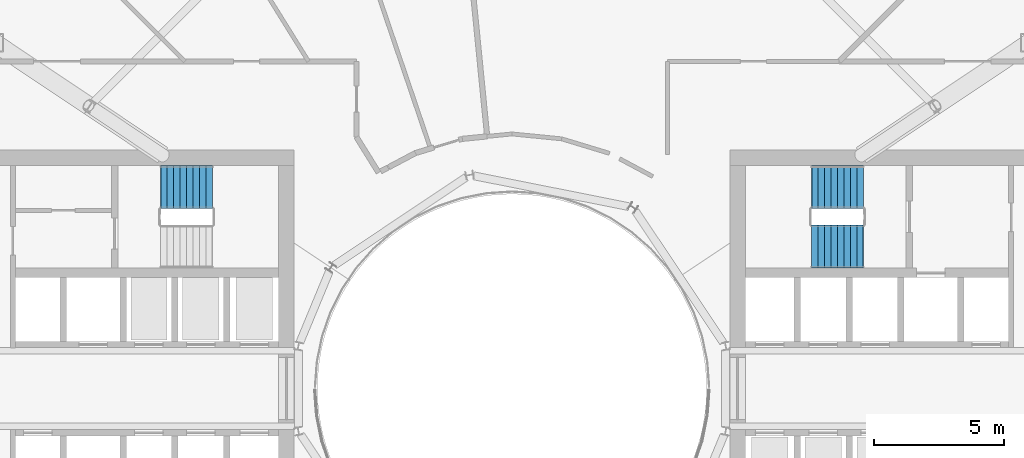
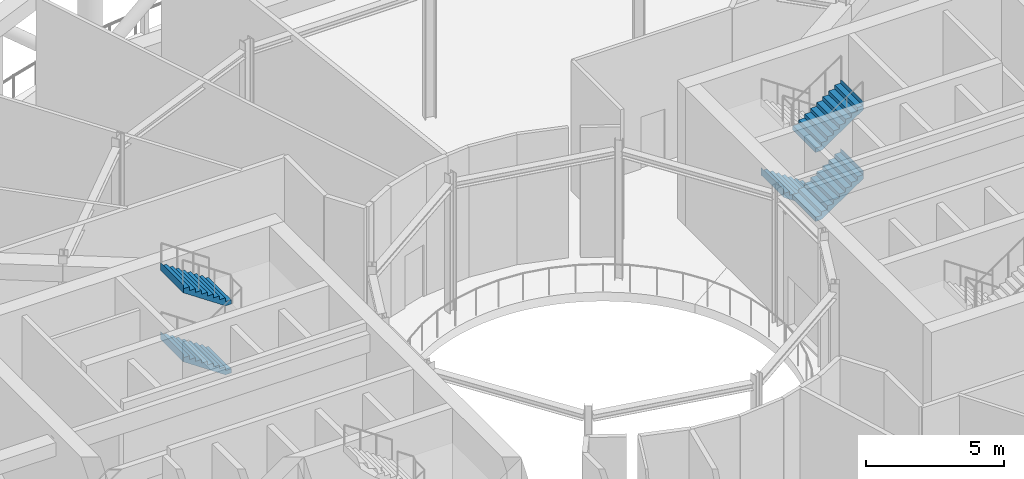
# One storey, part 18 of 25: 5 stair flights, 2 elements without a shape of their own.
"""IFC4 building model written with IfcOpenShell, lengths in metres."""

import ifcopenshell
import ifcopenshell.guid

model = None  # the IFC model being written
_history = None  # IfcOwnerHistory: only IFC2X3 demands one
_inside = {}  # id of a spatial element -> (the spatial element, [elements in it])
_under = {}  # id of a project, library or spatial element -> (it, [spatial elements below it])
_declared = {}  # id of a project -> (the project, [libraries it declares])
_typed = {}  # id of a type object -> (the type object, [elements of that type])
_made_of = {}  # id of a material, layer set ... -> (it, [elements and type objects made of it])


def new_model(schema):
    """Start an empty IFC model of exactly this schema.

    Asked for "IFC4X3", IfcOpenShell would pick the latest addendum, in which some entities
    have other attributes; the version numbers below select the first issue.
    IFC2X3 requires an IfcOwnerHistory on every rooted entity: one is made here for all.
    """
    global model, _history
    if schema == "IFC4X3":
        model = ifcopenshell.file(schema_version=(4, 3, 0, 0))
    else:
        model = ifcopenshell.file(schema=schema)
    _inside.clear()
    _under.clear()
    _declared.clear()
    _typed.clear()
    _made_of.clear()
    _history = None
    if model.schema == "IFC2X3":
        org = make("IfcOrganization", Name="unknown")
        user = make(
            "IfcPersonAndOrganization",
            ThePerson=make("IfcPerson", FamilyName="unknown"),
            TheOrganization=org,
        )
        app = make(
            "IfcApplication",
            ApplicationDeveloper=org,
            Version="unknown",
            ApplicationFullName="unknown",
            ApplicationIdentifier="unknown",
        )
        _history = make(
            "IfcOwnerHistory",
            OwningUser=user,
            OwningApplication=app,
            ChangeAction="ADDED",
            CreationDate=0,
        )
    return model


def make(cls, **values):
    """One entity of the class cls with the attributes given. An attribute that is None is left unset."""
    return model.create_entity(
        cls, **{name: value for name, value in values.items() if value is not None}
    )


def rooted(cls, **values):
    """An entity with a GlobalId (a new one), such as an element, a storey or a relation."""
    return make(cls, GlobalId=ifcopenshell.guid.new(), OwnerHistory=_history, **values)


def si_unit(unit_type, name, prefix=None):
    """IfcSIUnit, for example si_unit("LENGTHUNIT", "METRE", prefix="MILLI")."""
    return make("IfcSIUnit", UnitType=unit_type, Prefix=prefix, Name=name)


def assignment(units):
    """IfcUnitAssignment: the units of a project."""
    return None if units is None else make("IfcUnitAssignment", Units=units)


def point(xyz):
    """IfcCartesianPoint."""
    return None if xyz is None else make("IfcCartesianPoint", Coordinates=xyz)


def direction(xyz):
    """IfcDirection."""
    return None if xyz is None else make("IfcDirection", DirectionRatios=xyz)


def frame(location, z_axis=None, x_axis=None):
    """IfcAxis2Placement3D, a coordinate frame: its origin and axes. An axis left out is left unset."""
    return make(
        "IfcAxis2Placement3D",
        Location=point(location),
        Axis=direction(z_axis),
        RefDirection=direction(x_axis),
    )


def origin():
    """The frame at (0, 0, 0) with its axes left unset."""
    return frame((0.0, 0.0, 0.0))


def place(relative_to, where):
    """IfcLocalPlacement: puts the frame where relative to a parent placement (None: the world)."""
    return make(
        "IfcLocalPlacement", PlacementRelTo=relative_to, RelativePlacement=where
    )


def context(
    kind, dimensions, precision=None, world=None, true_north=None, identifier=None
):
    """IfcGeometricRepresentationContext, for example the 3D "Model" context."""
    return make(
        "IfcGeometricRepresentationContext",
        ContextIdentifier=identifier,
        ContextType=kind,
        CoordinateSpaceDimension=dimensions,
        Precision=precision,
        WorldCoordinateSystem=world,
        TrueNorth=true_north,
    )


def subcontext(parent, identifier, kind, view, scale=None):
    """IfcGeometricRepresentationSubContext, for example "Body" below "Model"."""
    return make(
        "IfcGeometricRepresentationSubContext",
        ContextIdentifier=identifier,
        ContextType=kind,
        ParentContext=parent,
        TargetScale=scale,
        TargetView=view,
    )


def project(units=None, contexts=None):
    """IfcProject with its units and contexts."""
    return rooted(
        "IfcProject",
        Name="project",
        RepresentationContexts=contexts,
        UnitsInContext=assignment(units),
    )


def spatial(cls, under=None, at=None, **own):
    """A site, building, storey or space (cls), placed at a placement, below another one or the project."""
    s = rooted(cls, ObjectPlacement=at, **own)
    if under is not None:
        _under.setdefault(under.id(), (under, []))[1].append(s)
    return s


def point_list(points):
    """IfcCartesianPointList2D or 3D."""
    cls = (
        "IfcCartesianPointList2D" if len(points[0]) == 2 else "IfcCartesianPointList3D"
    )
    return make(cls, CoordList=points)


def triangles(points, corners, closed=None, point_numbers=None):
    """IfcTriangulatedFaceSet: each triangle names its three corners, points numbered from 1."""
    return make(
        "IfcTriangulatedFaceSet",
        Coordinates=point_list(points),
        Closed=closed,
        CoordIndex=corners,
        PnIndex=point_numbers,
    )


def shape(context_of_items, identifier, shape_type, items):
    """IfcShapeRepresentation: the items that make up one representation, for example the "Body"."""
    return make(
        "IfcShapeRepresentation",
        ContextOfItems=context_of_items,
        RepresentationIdentifier=identifier,
        RepresentationType=shape_type,
        Items=items,
    )


def material(Name=None, Category=None):
    """IfcMaterial."""
    return make("IfcMaterial", Name=Name, Category=Category)


def made_of(thing, what):
    """Note that an element or type object is made of a material, layer set ...; save() writes the relation."""
    if what is not None:
        _made_of.setdefault(what.id(), (what, []))[1].append(thing)
    return thing


def type_object(cls, material=None, **own):
    """A type object (cls), such as IfcWallType, which elements share."""
    return made_of(rooted(cls, **own), material)


def element(
    cls,
    number,
    at=None,
    inside=None,
    cuts=None,
    type_object=None,
    material=None,
    context=None,
    identifier="Body",
    shape_type=None,
    held_by="IfcProductDefinitionShape",
    body=None,
    shapes=None,
    **own,
):
    """One element of the class cls, such as IfcWall. Its Tag is "e" and its number.

    at: its placement. inside: the storey or other place that contains it. cuts: it is an
    opening in that element (IfcRelVoidsElement). A single representation is given by context,
    identifier, shape_type and body (its items); several are given by shapes. held_by: the class
    of the entity that holds the representations. save() writes the other relations.
    """
    e = rooted(cls, Tag="e%d" % number, ObjectPlacement=at, **own)
    if body is not None:
        shapes = [shape(context, identifier, shape_type, body)]
    if shapes is not None:
        e.Representation = make(held_by, Representations=shapes)
    if inside is not None:
        _inside.setdefault(inside.id(), (inside, []))[1].append(e)
    if cuts is not None:
        rooted(
            "IfcRelVoidsElement", RelatingBuildingElement=cuts, RelatedOpeningElement=e
        )
    if type_object is not None:
        _typed.setdefault(type_object.id(), (type_object, []))[1].append(e)
    return made_of(e, material)


def aggregate(whole, parts):
    """IfcRelAggregates: a whole, such as a stair, and the parts it consists of."""
    return rooted("IfcRelAggregates", RelatingObject=whole, RelatedObjects=parts)


def save(model, path):
    """Write the relations noted so far, then the file.

    IfcRelAggregates (storeys below a building ...), IfcRelContainedInSpatialStructure (elements
    in a storey), IfcRelDefinesByType, IfcRelAssociatesMaterial and IfcRelDeclares: one each for
    every whole, place, type object, material and project.
    """
    for whole, parts in _under.values():
        aggregate(whole, parts)
    for where, things in _inside.values():
        rooted(
            "IfcRelContainedInSpatialStructure",
            RelatedElements=things,
            RelatingStructure=where,
        )
    for kind, things in _typed.values():
        rooted("IfcRelDefinesByType", RelatedObjects=things, RelatingType=kind)
    for what, things in _made_of.values():
        rooted("IfcRelAssociatesMaterial", RelatedObjects=things, RelatingMaterial=what)
    for by, libraries in _declared.values():
        rooted("IfcRelDeclares", RelatingContext=by, RelatedDefinitions=libraries)
    model.write(path)


model = new_model("IFC4")

# Units and contexts
model_context = context("Model", 3, precision=1e-05, world=origin(), true_north=direction((0.0, 1.0)))
body_context = subcontext(model_context, "Body", "Model", "MODEL_VIEW")
ifc_project = project(units=[si_unit("LENGTHUNIT", "METRE"), si_unit("AREAUNIT", "SQUARE_METRE"), si_unit("VOLUMEUNIT", "CUBIC_METRE"), si_unit("PLANEANGLEUNIT", "RADIAN"), si_unit("MASSUNIT", "GRAM", prefix="KILO")], contexts=[model_context])

# Site, building, storey
site_placement = place(None, origin())
site = spatial("IfcSite", under=ifc_project, at=site_placement, CompositionType="ELEMENT")
building_placement = place(site_placement, origin())
building = spatial("IfcBuilding", under=site, at=building_placement, Name="Maasbend Ring Residences", CompositionType="ELEMENT")
storey_placement = place(building_placement, frame((0.0, 0.0, 139.10009765625)))
storey = spatial("IfcBuildingStorey", under=building, at=storey_placement, Name="L40", CompositionType="ELEMENT", Elevation=139.10009765625)

# Stair, stair flights
ifc_material_1 = material(Name="Concrete C40/50", Category="concrete")
stair_type = type_object("IfcStairType", Name="CORE STAIR 36 RISERS", PredefinedType="HALF_TURN_STAIR", material=ifc_material_1)
stair_1_placement = place(storey_placement, origin())
stair_1 = element("IfcStair", 1, at=stair_1_placement, inside=storey, type_object=stair_type, Name="L40 Exit stair ST-E1", PredefinedType="HALF_TURN_STAIR")
ifc_material_2 = material(Name="Concrete C40/50", Category="concrete")
stair_flight_type = type_object("IfcStairFlightType", Name="CORE STAIR FLIGHT 1650", PredefinedType="STRAIGHT", material=ifc_material_2)
stair_flight_1_placement = place(storey_placement, frame((13.550048828125, 7.77490234375, 0.0), z_axis=(0.0, 0.0, 1.0), x_axis=(-1.0, 0.0, 0.0)))
stair_flight_1 = element("IfcStairFlight", 2, at=stair_flight_1_placement, type_object=stair_flight_type, Name="ST-E1 flight 1", NumberOfRisers=9, NumberOfTreads=8, PredefinedType="STRAIGHT", RiserHeight=0.169444444, TreadLength=0.25, context=body_context, shape_type="Tessellation", body=[
    triangles([(0.24072265625, 0.824951171875, -0.02001953125), (2.0029296875, 0.824951171875, 1.174560546875), (2.0029296875, 0.824951171875, 1.52490234375), (1.989990234375, 0.824951171875, 1.35546875), (1.75, 0.824951171875, 1.35546875), (1.75, 0.824951171875, 1.18603515625), (1.5, 0.824951171875, 1.18603515625), (1.5, 0.824951171875, 1.0166015625), (1.25, 0.824951171875, 1.0166015625), (1.25, 0.824951171875, 0.84716796875), (1.0, 0.824951171875, 0.84716796875), (1.0, 0.824951171875, 0.677734375), (0.75, 0.824951171875, 0.677734375), (0.75, 0.824951171875, 0.50830078125), (0.5, 0.824951171875, 0.50830078125), (0.5, 0.824951171875, 0.3388671875), (0.25, 0.824951171875, 0.3388671875), (0.25, 0.824951171875, 0.16943359375), (0.0, 0.824951171875, 0.16943359375), (0.0, 0.824951171875, 0.0), (-0.0029296875, 0.824951171875, 0.0), (-0.0029296875, 0.824951171875, -0.02001953125), (0.24072265625, 0.27490234375, -0.02001953125), (2.0029296875, 0.27490234375, 1.174560546875), (2.0029296875, 0.27490234375, 1.52490234375), (1.989990234375, 0.27490234375, 1.35546875), (1.75, 0.27490234375, 1.35546875), (1.75, 0.27490234375, 1.18603515625), (1.5, 0.27490234375, 1.18603515625), (1.5, 0.27490234375, 1.0166015625), (1.25, 0.27490234375, 1.0166015625), (1.25, 0.27490234375, 0.84716796875), (1.0, 0.27490234375, 0.84716796875), (1.0, 0.27490234375, 0.677734375), (0.75, 0.27490234375, 0.677734375), (0.75, 0.27490234375, 0.50830078125), (0.5, 0.27490234375, 0.50830078125), (0.5, 0.27490234375, 0.3388671875), (0.25, 0.27490234375, 0.3388671875), (0.25, 0.27490234375, 0.16943359375), (0.0, 0.27490234375, 0.16943359375), (0.0, 0.27490234375, 0.0), (-0.0029296875, 0.27490234375, 0.0), (-0.0029296875, 0.27490234375, -0.02001953125), (0.24072265625, -0.27490234375, -0.02001953125), (2.0029296875, -0.27490234375, 1.174560546875), (2.0029296875, -0.27490234375, 1.52490234375), (1.989990234375, -0.27490234375, 1.35546875), (1.75, -0.27490234375, 1.35546875), (1.75, -0.27490234375, 1.18603515625), (1.5, -0.27490234375, 1.18603515625), (1.5, -0.27490234375, 1.0166015625), (1.25, -0.27490234375, 1.0166015625), (1.25, -0.27490234375, 0.84716796875), (1.0, -0.27490234375, 0.84716796875), (1.0, -0.27490234375, 0.677734375), (0.75, -0.27490234375, 0.677734375), (0.75, -0.27490234375, 0.50830078125), (0.5, -0.27490234375, 0.50830078125), (0.5, -0.27490234375, 0.3388671875), (0.25, -0.27490234375, 0.3388671875), (0.25, -0.27490234375, 0.16943359375), (0.0, -0.27490234375, 0.16943359375), (0.0, -0.27490234375, 0.0), (-0.0029296875, -0.27490234375, 0.0), (-0.0029296875, -0.27490234375, -0.02001953125), (0.24072265625, -0.824951171875, -0.02001953125), (2.0029296875, -0.824951171875, 1.174560546875), (2.0029296875, -0.824951171875, 1.52490234375), (1.989990234375, -0.824951171875, 1.35546875), (1.75, -0.824951171875, 1.35546875), (1.75, -0.824951171875, 1.18603515625), (1.5, -0.824951171875, 1.18603515625), (1.5, -0.824951171875, 1.0166015625), (1.25, -0.824951171875, 1.0166015625), (1.25, -0.824951171875, 0.84716796875), (1.0, -0.824951171875, 0.84716796875), (1.0, -0.824951171875, 0.677734375), (0.75, -0.824951171875, 0.677734375), (0.75, -0.824951171875, 0.50830078125), (0.5, -0.824951171875, 0.50830078125), (0.5, -0.824951171875, 0.3388671875), (0.25, -0.824951171875, 0.3388671875), (0.25, -0.824951171875, 0.16943359375), (0.0, -0.824951171875, 0.16943359375), (0.0, -0.824951171875, 0.0), (-0.0029296875, -0.824951171875, 0.0), (-0.0029296875, -0.824951171875, -0.02001953125)], [[1, 2, 24], [1, 24, 23], [23, 24, 46], [23, 46, 45], [45, 46, 68], [45, 68, 67], [2, 3, 25], [2, 25, 24], [24, 25, 47], [24, 47, 46], [46, 47, 69], [46, 69, 68], [3, 4, 26], [3, 26, 25], [25, 26, 48], [25, 48, 47], [47, 48, 70], [47, 70, 69], [4, 5, 27], [4, 27, 26], [26, 27, 49], [26, 49, 48], [48, 49, 71], [48, 71, 70], [5, 6, 28], [5, 28, 27], [27, 28, 50], [27, 50, 49], [49, 50, 72], [49, 72, 71], [6, 7, 29], [6, 29, 28], [28, 29, 51], [28, 51, 50], [50, 51, 73], [50, 73, 72], [7, 8, 30], [7, 30, 29], [29, 30, 52], [29, 52, 51], [51, 52, 74], [51, 74, 73], [8, 9, 31], [8, 31, 30], [30, 31, 53], [30, 53, 52], [52, 53, 75], [52, 75, 74], [9, 10, 32], [9, 32, 31], [31, 32, 54], [31, 54, 53], [53, 54, 76], [53, 76, 75], [10, 11, 33], [10, 33, 32], [32, 33, 55], [32, 55, 54], [54, 55, 77], [54, 77, 76], [11, 12, 34], [11, 34, 33], [33, 34, 56], [33, 56, 55], [55, 56, 78], [55, 78, 77], [12, 13, 35], [12, 35, 34], [34, 35, 57], [34, 57, 56], [56, 57, 79], [56, 79, 78], [13, 14, 36], [13, 36, 35], [35, 36, 58], [35, 58, 57], [57, 58, 80], [57, 80, 79], [14, 15, 37], [14, 37, 36], [36, 37, 59], [36, 59, 58], [58, 59, 81], [58, 81, 80], [15, 16, 38], [15, 38, 37], [37, 38, 60], [37, 60, 59], [59, 60, 82], [59, 82, 81], [16, 17, 39], [16, 39, 38], [38, 39, 61], [38, 61, 60], [60, 61, 83], [60, 83, 82], [17, 18, 40], [17, 40, 39], [39, 40, 62], [39, 62, 61], [61, 62, 84], [61, 84, 83], [18, 19, 41], [18, 41, 40], [40, 41, 63], [40, 63, 62], [62, 63, 85], [62, 85, 84], [19, 20, 42], [19, 42, 41], [41, 42, 64], [41, 64, 63], [63, 64, 86], [63, 86, 85], [20, 21, 43], [20, 43, 42], [42, 43, 65], [42, 65, 64], [64, 65, 87], [64, 87, 86], [21, 22, 44], [21, 44, 43], [43, 44, 66], [43, 66, 65], [65, 66, 88], [65, 88, 87], [22, 1, 23], [22, 23, 44], [44, 23, 45], [44, 45, 66], [66, 45, 67], [66, 67, 88], [22, 2, 1], [2, 4, 3], [2, 5, 4], [2, 6, 5], [22, 6, 2], [6, 8, 7], [22, 8, 6], [8, 10, 9], [22, 10, 8], [10, 12, 11], [22, 12, 10], [12, 14, 13], [22, 14, 12], [14, 16, 15], [22, 16, 14], [16, 18, 17], [22, 18, 16], [18, 20, 19], [22, 20, 18], [20, 22, 21], [88, 67, 68], [68, 69, 70], [68, 70, 71], [68, 71, 72], [88, 68, 72], [72, 73, 74], [88, 72, 74], [74, 75, 76], [88, 74, 76], [76, 77, 78], [88, 76, 78], [78, 79, 80], [88, 78, 80], [80, 81, 82], [88, 80, 82], [82, 83, 84], [88, 82, 84], [84, 85, 86], [88, 84, 86], [86, 87, 88]], closed=True),
])
stair_flight_2_placement = place(storey_placement, frame((11.550048828125, 5.47509765625, 1.52490234375), z_axis=(0.0, 0.0, 1.0), x_axis=(1.0, 0.0, 0.0)))
stair_flight_2 = element("IfcStairFlight", 3, at=stair_flight_2_placement, type_object=stair_flight_type, Name="ST-E1 flight 2", NumberOfRisers=9, NumberOfTreads=8, PredefinedType="STRAIGHT", RiserHeight=0.169444444, TreadLength=0.25, context=body_context, shape_type="Tessellation", body=[
    triangles([(0.24072265625, 0.824951171875, -0.02001953125), (2.0029296875, 0.824951171875, 1.174560546875), (2.0029296875, 0.824951171875, 1.52490234375), (1.989990234375, 0.824951171875, 1.35546875), (1.75, 0.824951171875, 1.35546875), (1.75, 0.824951171875, 1.18603515625), (1.5, 0.824951171875, 1.18603515625), (1.5, 0.824951171875, 1.0166015625), (1.25, 0.824951171875, 1.0166015625), (1.25, 0.824951171875, 0.84716796875), (1.0, 0.824951171875, 0.84716796875), (1.0, 0.824951171875, 0.677734375), (0.75, 0.824951171875, 0.677734375), (0.75, 0.824951171875, 0.50830078125), (0.5, 0.824951171875, 0.50830078125), (0.5, 0.824951171875, 0.3388671875), (0.25, 0.824951171875, 0.3388671875), (0.25, 0.824951171875, 0.16943359375), (0.0, 0.824951171875, 0.16943359375), (0.0, 0.824951171875, 0.0), (-0.0029296875, 0.824951171875, 0.0), (-0.0029296875, 0.824951171875, -0.02001953125), (0.24072265625, 0.27490234375, -0.02001953125), (2.0029296875, 0.27490234375, 1.174560546875), (2.0029296875, 0.27490234375, 1.52490234375), (1.989990234375, 0.27490234375, 1.35546875), (1.75, 0.27490234375, 1.35546875), (1.75, 0.27490234375, 1.18603515625), (1.5, 0.27490234375, 1.18603515625), (1.5, 0.27490234375, 1.0166015625), (1.25, 0.27490234375, 1.0166015625), (1.25, 0.27490234375, 0.84716796875), (1.0, 0.27490234375, 0.84716796875), (1.0, 0.27490234375, 0.677734375), (0.75, 0.27490234375, 0.677734375), (0.75, 0.27490234375, 0.50830078125), (0.5, 0.27490234375, 0.50830078125), (0.5, 0.27490234375, 0.3388671875), (0.25, 0.27490234375, 0.3388671875), (0.25, 0.27490234375, 0.16943359375), (0.0, 0.27490234375, 0.16943359375), (0.0, 0.27490234375, 0.0), (-0.0029296875, 0.27490234375, 0.0), (-0.0029296875, 0.27490234375, -0.02001953125), (0.24072265625, -0.27490234375, -0.02001953125), (2.0029296875, -0.27490234375, 1.174560546875), (2.0029296875, -0.27490234375, 1.52490234375), (1.989990234375, -0.27490234375, 1.35546875), (1.75, -0.27490234375, 1.35546875), (1.75, -0.27490234375, 1.18603515625), (1.5, -0.27490234375, 1.18603515625), (1.5, -0.27490234375, 1.0166015625), (1.25, -0.27490234375, 1.0166015625), (1.25, -0.27490234375, 0.84716796875), (1.0, -0.27490234375, 0.84716796875), (1.0, -0.27490234375, 0.677734375), (0.75, -0.27490234375, 0.677734375), (0.75, -0.27490234375, 0.50830078125), (0.5, -0.27490234375, 0.50830078125), (0.5, -0.27490234375, 0.3388671875), (0.25, -0.27490234375, 0.3388671875), (0.25, -0.27490234375, 0.16943359375), (0.0, -0.27490234375, 0.16943359375), (0.0, -0.27490234375, 0.0), (-0.0029296875, -0.27490234375, 0.0), (-0.0029296875, -0.27490234375, -0.02001953125), (0.24072265625, -0.824951171875, -0.02001953125), (2.0029296875, -0.824951171875, 1.174560546875), (2.0029296875, -0.824951171875, 1.52490234375), (1.989990234375, -0.824951171875, 1.35546875), (1.75, -0.824951171875, 1.35546875), (1.75, -0.824951171875, 1.18603515625), (1.5, -0.824951171875, 1.18603515625), (1.5, -0.824951171875, 1.0166015625), (1.25, -0.824951171875, 1.0166015625), (1.25, -0.824951171875, 0.84716796875), (1.0, -0.824951171875, 0.84716796875), (1.0, -0.824951171875, 0.677734375), (0.75, -0.824951171875, 0.677734375), (0.75, -0.824951171875, 0.50830078125), (0.5, -0.824951171875, 0.50830078125), (0.5, -0.824951171875, 0.3388671875), (0.25, -0.824951171875, 0.3388671875), (0.25, -0.824951171875, 0.16943359375), (0.0, -0.824951171875, 0.16943359375), (0.0, -0.824951171875, 0.0), (-0.0029296875, -0.824951171875, 0.0), (-0.0029296875, -0.824951171875, -0.02001953125)], [[1, 2, 24], [1, 24, 23], [23, 24, 46], [23, 46, 45], [45, 46, 68], [45, 68, 67], [2, 3, 25], [2, 25, 24], [24, 25, 47], [24, 47, 46], [46, 47, 69], [46, 69, 68], [3, 4, 26], [3, 26, 25], [25, 26, 48], [25, 48, 47], [47, 48, 70], [47, 70, 69], [4, 5, 27], [4, 27, 26], [26, 27, 49], [26, 49, 48], [48, 49, 71], [48, 71, 70], [5, 6, 28], [5, 28, 27], [27, 28, 50], [27, 50, 49], [49, 50, 72], [49, 72, 71], [6, 7, 29], [6, 29, 28], [28, 29, 51], [28, 51, 50], [50, 51, 73], [50, 73, 72], [7, 8, 30], [7, 30, 29], [29, 30, 52], [29, 52, 51], [51, 52, 74], [51, 74, 73], [8, 9, 31], [8, 31, 30], [30, 31, 53], [30, 53, 52], [52, 53, 75], [52, 75, 74], [9, 10, 32], [9, 32, 31], [31, 32, 54], [31, 54, 53], [53, 54, 76], [53, 76, 75], [10, 11, 33], [10, 33, 32], [32, 33, 55], [32, 55, 54], [54, 55, 77], [54, 77, 76], [11, 12, 34], [11, 34, 33], [33, 34, 56], [33, 56, 55], [55, 56, 78], [55, 78, 77], [12, 13, 35], [12, 35, 34], [34, 35, 57], [34, 57, 56], [56, 57, 79], [56, 79, 78], [13, 14, 36], [13, 36, 35], [35, 36, 58], [35, 58, 57], [57, 58, 80], [57, 80, 79], [14, 15, 37], [14, 37, 36], [36, 37, 59], [36, 59, 58], [58, 59, 81], [58, 81, 80], [15, 16, 38], [15, 38, 37], [37, 38, 60], [37, 60, 59], [59, 60, 82], [59, 82, 81], [16, 17, 39], [16, 39, 38], [38, 39, 61], [38, 61, 60], [60, 61, 83], [60, 83, 82], [17, 18, 40], [17, 40, 39], [39, 40, 62], [39, 62, 61], [61, 62, 84], [61, 84, 83], [18, 19, 41], [18, 41, 40], [40, 41, 63], [40, 63, 62], [62, 63, 85], [62, 85, 84], [19, 20, 42], [19, 42, 41], [41, 42, 64], [41, 64, 63], [63, 64, 86], [63, 86, 85], [20, 21, 43], [20, 43, 42], [42, 43, 65], [42, 65, 64], [64, 65, 87], [64, 87, 86], [21, 22, 44], [21, 44, 43], [43, 44, 66], [43, 66, 65], [65, 66, 88], [65, 88, 87], [22, 1, 23], [22, 23, 44], [44, 23, 45], [44, 45, 66], [66, 45, 67], [66, 67, 88], [22, 2, 1], [2, 4, 3], [2, 5, 4], [2, 6, 5], [22, 6, 2], [6, 8, 7], [22, 8, 6], [8, 10, 9], [22, 10, 8], [10, 12, 11], [22, 12, 10], [12, 14, 13], [22, 14, 12], [14, 16, 15], [22, 16, 14], [16, 18, 17], [22, 18, 16], [18, 20, 19], [22, 20, 18], [20, 22, 21], [88, 67, 68], [68, 69, 70], [68, 70, 71], [68, 71, 72], [88, 68, 72], [72, 73, 74], [88, 72, 74], [74, 75, 76], [88, 74, 76], [76, 77, 78], [88, 76, 78], [78, 79, 80], [88, 78, 80], [80, 81, 82], [88, 80, 82], [82, 83, 84], [88, 82, 84], [84, 85, 86], [88, 84, 86], [86, 87, 88]], closed=True),
])
stair_flight_3_placement = place(storey_placement, frame((11.550048828125, 5.47509765625, 4.574951171875), z_axis=(0.0, 0.0, 1.0), x_axis=(1.0, 0.0, 0.0)))
stair_flight_3 = element("IfcStairFlight", 4, at=stair_flight_3_placement, type_object=stair_flight_type, Name="ST-E1 flight 4", NumberOfRisers=9, NumberOfTreads=8, PredefinedType="STRAIGHT", RiserHeight=0.169444444, TreadLength=0.25, context=body_context, shape_type="Tessellation", body=[
    triangles([(0.24072265625, 0.824951171875, -0.02001953125), (2.0029296875, 0.824951171875, 1.174560546875), (2.0029296875, 0.824951171875, 1.52490234375), (1.989990234375, 0.824951171875, 1.35546875), (1.75, 0.824951171875, 1.35546875), (1.75, 0.824951171875, 1.18603515625), (1.5, 0.824951171875, 1.18603515625), (1.5, 0.824951171875, 1.0166015625), (1.25, 0.824951171875, 1.0166015625), (1.25, 0.824951171875, 0.84716796875), (1.0, 0.824951171875, 0.84716796875), (1.0, 0.824951171875, 0.677734375), (0.75, 0.824951171875, 0.677734375), (0.75, 0.824951171875, 0.50830078125), (0.5, 0.824951171875, 0.50830078125), (0.5, 0.824951171875, 0.3388671875), (0.25, 0.824951171875, 0.3388671875), (0.25, 0.824951171875, 0.16943359375), (0.0, 0.824951171875, 0.16943359375), (0.0, 0.824951171875, 0.0), (-0.0029296875, 0.824951171875, 0.0), (-0.0029296875, 0.824951171875, -0.02001953125), (0.24072265625, 0.27490234375, -0.02001953125), (2.0029296875, 0.27490234375, 1.174560546875), (2.0029296875, 0.27490234375, 1.52490234375), (1.989990234375, 0.27490234375, 1.35546875), (1.75, 0.27490234375, 1.35546875), (1.75, 0.27490234375, 1.18603515625), (1.5, 0.27490234375, 1.18603515625), (1.5, 0.27490234375, 1.0166015625), (1.25, 0.27490234375, 1.0166015625), (1.25, 0.27490234375, 0.84716796875), (1.0, 0.27490234375, 0.84716796875), (1.0, 0.27490234375, 0.677734375), (0.75, 0.27490234375, 0.677734375), (0.75, 0.27490234375, 0.50830078125), (0.5, 0.27490234375, 0.50830078125), (0.5, 0.27490234375, 0.3388671875), (0.25, 0.27490234375, 0.3388671875), (0.25, 0.27490234375, 0.16943359375), (0.0, 0.27490234375, 0.16943359375), (0.0, 0.27490234375, 0.0), (-0.0029296875, 0.27490234375, 0.0), (-0.0029296875, 0.27490234375, -0.02001953125), (0.24072265625, -0.27490234375, -0.02001953125), (2.0029296875, -0.27490234375, 1.174560546875), (2.0029296875, -0.27490234375, 1.52490234375), (1.989990234375, -0.27490234375, 1.35546875), (1.75, -0.27490234375, 1.35546875), (1.75, -0.27490234375, 1.18603515625), (1.5, -0.27490234375, 1.18603515625), (1.5, -0.27490234375, 1.0166015625), (1.25, -0.27490234375, 1.0166015625), (1.25, -0.27490234375, 0.84716796875), (1.0, -0.27490234375, 0.84716796875), (1.0, -0.27490234375, 0.677734375), (0.75, -0.27490234375, 0.677734375), (0.75, -0.27490234375, 0.50830078125), (0.5, -0.27490234375, 0.50830078125), (0.5, -0.27490234375, 0.3388671875), (0.25, -0.27490234375, 0.3388671875), (0.25, -0.27490234375, 0.16943359375), (0.0, -0.27490234375, 0.16943359375), (0.0, -0.27490234375, 0.0), (-0.0029296875, -0.27490234375, 0.0), (-0.0029296875, -0.27490234375, -0.02001953125), (0.24072265625, -0.824951171875, -0.02001953125), (2.0029296875, -0.824951171875, 1.174560546875), (2.0029296875, -0.824951171875, 1.52490234375), (1.989990234375, -0.824951171875, 1.35546875), (1.75, -0.824951171875, 1.35546875), (1.75, -0.824951171875, 1.18603515625), (1.5, -0.824951171875, 1.18603515625), (1.5, -0.824951171875, 1.0166015625), (1.25, -0.824951171875, 1.0166015625), (1.25, -0.824951171875, 0.84716796875), (1.0, -0.824951171875, 0.84716796875), (1.0, -0.824951171875, 0.677734375), (0.75, -0.824951171875, 0.677734375), (0.75, -0.824951171875, 0.50830078125), (0.5, -0.824951171875, 0.50830078125), (0.5, -0.824951171875, 0.3388671875), (0.25, -0.824951171875, 0.3388671875), (0.25, -0.824951171875, 0.16943359375), (0.0, -0.824951171875, 0.16943359375), (0.0, -0.824951171875, 0.0), (-0.0029296875, -0.824951171875, 0.0), (-0.0029296875, -0.824951171875, -0.02001953125)], [[1, 2, 24], [1, 24, 23], [23, 24, 46], [23, 46, 45], [45, 46, 68], [45, 68, 67], [2, 3, 25], [2, 25, 24], [24, 25, 47], [24, 47, 46], [46, 47, 69], [46, 69, 68], [3, 4, 26], [3, 26, 25], [25, 26, 48], [25, 48, 47], [47, 48, 70], [47, 70, 69], [4, 5, 27], [4, 27, 26], [26, 27, 49], [26, 49, 48], [48, 49, 71], [48, 71, 70], [5, 6, 28], [5, 28, 27], [27, 28, 50], [27, 50, 49], [49, 50, 72], [49, 72, 71], [6, 7, 29], [6, 29, 28], [28, 29, 51], [28, 51, 50], [50, 51, 73], [50, 73, 72], [7, 8, 30], [7, 30, 29], [29, 30, 52], [29, 52, 51], [51, 52, 74], [51, 74, 73], [8, 9, 31], [8, 31, 30], [30, 31, 53], [30, 53, 52], [52, 53, 75], [52, 75, 74], [9, 10, 32], [9, 32, 31], [31, 32, 54], [31, 54, 53], [53, 54, 76], [53, 76, 75], [10, 11, 33], [10, 33, 32], [32, 33, 55], [32, 55, 54], [54, 55, 77], [54, 77, 76], [11, 12, 34], [11, 34, 33], [33, 34, 56], [33, 56, 55], [55, 56, 78], [55, 78, 77], [12, 13, 35], [12, 35, 34], [34, 35, 57], [34, 57, 56], [56, 57, 79], [56, 79, 78], [13, 14, 36], [13, 36, 35], [35, 36, 58], [35, 58, 57], [57, 58, 80], [57, 80, 79], [14, 15, 37], [14, 37, 36], [36, 37, 59], [36, 59, 58], [58, 59, 81], [58, 81, 80], [15, 16, 38], [15, 38, 37], [37, 38, 60], [37, 60, 59], [59, 60, 82], [59, 82, 81], [16, 17, 39], [16, 39, 38], [38, 39, 61], [38, 61, 60], [60, 61, 83], [60, 83, 82], [17, 18, 40], [17, 40, 39], [39, 40, 62], [39, 62, 61], [61, 62, 84], [61, 84, 83], [18, 19, 41], [18, 41, 40], [40, 41, 63], [40, 63, 62], [62, 63, 85], [62, 85, 84], [19, 20, 42], [19, 42, 41], [41, 42, 64], [41, 64, 63], [63, 64, 86], [63, 86, 85], [20, 21, 43], [20, 43, 42], [42, 43, 65], [42, 65, 64], [64, 65, 87], [64, 87, 86], [21, 22, 44], [21, 44, 43], [43, 44, 66], [43, 66, 65], [65, 66, 88], [65, 88, 87], [22, 1, 23], [22, 23, 44], [44, 23, 45], [44, 45, 66], [66, 45, 67], [66, 67, 88], [22, 2, 1], [2, 4, 3], [2, 5, 4], [2, 6, 5], [22, 6, 2], [6, 8, 7], [22, 8, 6], [8, 10, 9], [22, 10, 8], [10, 12, 11], [22, 12, 10], [12, 14, 13], [22, 14, 12], [14, 16, 15], [22, 16, 14], [16, 18, 17], [22, 18, 16], [18, 20, 19], [22, 20, 18], [20, 22, 21], [88, 67, 68], [68, 69, 70], [68, 70, 71], [68, 71, 72], [88, 68, 72], [72, 73, 74], [88, 72, 74], [74, 75, 76], [88, 74, 76], [76, 77, 78], [88, 76, 78], [78, 79, 80], [88, 78, 80], [80, 81, 82], [88, 80, 82], [82, 83, 84], [88, 82, 84], [84, 85, 86], [88, 84, 86], [86, 87, 88]], closed=True),
])
aggregate(stair_1, [stair_flight_1, stair_flight_2, stair_flight_3])

stair_2_placement = place(storey_placement, origin())
stair_2 = element("IfcStair", 5, at=stair_2_placement, inside=storey, type_object=stair_type, Name="L40 Exit stair ST-W2", PredefinedType="HALF_TURN_STAIR")
stair_flight_4_placement = place(storey_placement, frame((-11.550048828125, 7.77490234375, 1.52490234375), z_axis=(0.0, 0.0, 1.0), x_axis=(-1.0, 0.0, 0.0)))
stair_flight_4 = element("IfcStairFlight", 6, at=stair_flight_4_placement, type_object=stair_flight_type, Name="ST-W2 flight 2", NumberOfRisers=9, NumberOfTreads=8, PredefinedType="STRAIGHT", RiserHeight=0.169444444, TreadLength=0.25, context=body_context, shape_type="Tessellation", body=[
    triangles([(0.24072265625, 0.824951171875, -0.02001953125), (2.0029296875, 0.824951171875, 1.174560546875), (2.0029296875, 0.824951171875, 1.52490234375), (1.989990234375, 0.824951171875, 1.35546875), (1.75, 0.824951171875, 1.35546875), (1.75, 0.824951171875, 1.18603515625), (1.5, 0.824951171875, 1.18603515625), (1.5, 0.824951171875, 1.0166015625), (1.25, 0.824951171875, 1.0166015625), (1.25, 0.824951171875, 0.84716796875), (1.0, 0.824951171875, 0.84716796875), (1.0, 0.824951171875, 0.677734375), (0.75, 0.824951171875, 0.677734375), (0.75, 0.824951171875, 0.50830078125), (0.5, 0.824951171875, 0.50830078125), (0.5, 0.824951171875, 0.3388671875), (0.25, 0.824951171875, 0.3388671875), (0.25, 0.824951171875, 0.16943359375), (0.0, 0.824951171875, 0.16943359375), (0.0, 0.824951171875, 0.0), (-0.0029296875, 0.824951171875, 0.0), (-0.0029296875, 0.824951171875, -0.02001953125), (0.24072265625, 0.27490234375, -0.02001953125), (2.0029296875, 0.27490234375, 1.174560546875), (2.0029296875, 0.27490234375, 1.52490234375), (1.989990234375, 0.27490234375, 1.35546875), (1.75, 0.27490234375, 1.35546875), (1.75, 0.27490234375, 1.18603515625), (1.5, 0.27490234375, 1.18603515625), (1.5, 0.27490234375, 1.0166015625), (1.25, 0.27490234375, 1.0166015625), (1.25, 0.27490234375, 0.84716796875), (1.0, 0.27490234375, 0.84716796875), (1.0, 0.27490234375, 0.677734375), (0.75, 0.27490234375, 0.677734375), (0.75, 0.27490234375, 0.50830078125), (0.5, 0.27490234375, 0.50830078125), (0.5, 0.27490234375, 0.3388671875), (0.25, 0.27490234375, 0.3388671875), (0.25, 0.27490234375, 0.16943359375), (0.0, 0.27490234375, 0.16943359375), (0.0, 0.27490234375, 0.0), (-0.0029296875, 0.27490234375, 0.0), (-0.0029296875, 0.27490234375, -0.02001953125), (0.24072265625, -0.27490234375, -0.02001953125), (2.0029296875, -0.27490234375, 1.174560546875), (2.0029296875, -0.27490234375, 1.52490234375), (1.989990234375, -0.27490234375, 1.35546875), (1.75, -0.27490234375, 1.35546875), (1.75, -0.27490234375, 1.18603515625), (1.5, -0.27490234375, 1.18603515625), (1.5, -0.27490234375, 1.0166015625), (1.25, -0.27490234375, 1.0166015625), (1.25, -0.27490234375, 0.84716796875), (1.0, -0.27490234375, 0.84716796875), (1.0, -0.27490234375, 0.677734375), (0.75, -0.27490234375, 0.677734375), (0.75, -0.27490234375, 0.50830078125), (0.5, -0.27490234375, 0.50830078125), (0.5, -0.27490234375, 0.3388671875), (0.25, -0.27490234375, 0.3388671875), (0.25, -0.27490234375, 0.16943359375), (0.0, -0.27490234375, 0.16943359375), (0.0, -0.27490234375, 0.0), (-0.0029296875, -0.27490234375, 0.0), (-0.0029296875, -0.27490234375, -0.02001953125), (0.24072265625, -0.824951171875, -0.02001953125), (2.0029296875, -0.824951171875, 1.174560546875), (2.0029296875, -0.824951171875, 1.52490234375), (1.989990234375, -0.824951171875, 1.35546875), (1.75, -0.824951171875, 1.35546875), (1.75, -0.824951171875, 1.18603515625), (1.5, -0.824951171875, 1.18603515625), (1.5, -0.824951171875, 1.0166015625), (1.25, -0.824951171875, 1.0166015625), (1.25, -0.824951171875, 0.84716796875), (1.0, -0.824951171875, 0.84716796875), (1.0, -0.824951171875, 0.677734375), (0.75, -0.824951171875, 0.677734375), (0.75, -0.824951171875, 0.50830078125), (0.5, -0.824951171875, 0.50830078125), (0.5, -0.824951171875, 0.3388671875), (0.25, -0.824951171875, 0.3388671875), (0.25, -0.824951171875, 0.16943359375), (0.0, -0.824951171875, 0.16943359375), (0.0, -0.824951171875, 0.0), (-0.0029296875, -0.824951171875, 0.0), (-0.0029296875, -0.824951171875, -0.02001953125)], [[1, 2, 24], [1, 24, 23], [23, 24, 46], [23, 46, 45], [45, 46, 68], [45, 68, 67], [2, 3, 25], [2, 25, 24], [24, 25, 47], [24, 47, 46], [46, 47, 69], [46, 69, 68], [3, 4, 26], [3, 26, 25], [25, 26, 48], [25, 48, 47], [47, 48, 70], [47, 70, 69], [4, 5, 27], [4, 27, 26], [26, 27, 49], [26, 49, 48], [48, 49, 71], [48, 71, 70], [5, 6, 28], [5, 28, 27], [27, 28, 50], [27, 50, 49], [49, 50, 72], [49, 72, 71], [6, 7, 29], [6, 29, 28], [28, 29, 51], [28, 51, 50], [50, 51, 73], [50, 73, 72], [7, 8, 30], [7, 30, 29], [29, 30, 52], [29, 52, 51], [51, 52, 74], [51, 74, 73], [8, 9, 31], [8, 31, 30], [30, 31, 53], [30, 53, 52], [52, 53, 75], [52, 75, 74], [9, 10, 32], [9, 32, 31], [31, 32, 54], [31, 54, 53], [53, 54, 76], [53, 76, 75], [10, 11, 33], [10, 33, 32], [32, 33, 55], [32, 55, 54], [54, 55, 77], [54, 77, 76], [11, 12, 34], [11, 34, 33], [33, 34, 56], [33, 56, 55], [55, 56, 78], [55, 78, 77], [12, 13, 35], [12, 35, 34], [34, 35, 57], [34, 57, 56], [56, 57, 79], [56, 79, 78], [13, 14, 36], [13, 36, 35], [35, 36, 58], [35, 58, 57], [57, 58, 80], [57, 80, 79], [14, 15, 37], [14, 37, 36], [36, 37, 59], [36, 59, 58], [58, 59, 81], [58, 81, 80], [15, 16, 38], [15, 38, 37], [37, 38, 60], [37, 60, 59], [59, 60, 82], [59, 82, 81], [16, 17, 39], [16, 39, 38], [38, 39, 61], [38, 61, 60], [60, 61, 83], [60, 83, 82], [17, 18, 40], [17, 40, 39], [39, 40, 62], [39, 62, 61], [61, 62, 84], [61, 84, 83], [18, 19, 41], [18, 41, 40], [40, 41, 63], [40, 63, 62], [62, 63, 85], [62, 85, 84], [19, 20, 42], [19, 42, 41], [41, 42, 64], [41, 64, 63], [63, 64, 86], [63, 86, 85], [20, 21, 43], [20, 43, 42], [42, 43, 65], [42, 65, 64], [64, 65, 87], [64, 87, 86], [21, 22, 44], [21, 44, 43], [43, 44, 66], [43, 66, 65], [65, 66, 88], [65, 88, 87], [22, 1, 23], [22, 23, 44], [44, 23, 45], [44, 45, 66], [66, 45, 67], [66, 67, 88], [22, 2, 1], [2, 4, 3], [2, 5, 4], [2, 6, 5], [22, 6, 2], [6, 8, 7], [22, 8, 6], [8, 10, 9], [22, 10, 8], [10, 12, 11], [22, 12, 10], [12, 14, 13], [22, 14, 12], [14, 16, 15], [22, 16, 14], [16, 18, 17], [22, 18, 16], [18, 20, 19], [22, 20, 18], [20, 22, 21], [88, 67, 68], [68, 69, 70], [68, 70, 71], [68, 71, 72], [88, 68, 72], [72, 73, 74], [88, 72, 74], [74, 75, 76], [88, 74, 76], [76, 77, 78], [88, 76, 78], [78, 79, 80], [88, 78, 80], [80, 81, 82], [88, 80, 82], [82, 83, 84], [88, 82, 84], [84, 85, 86], [88, 84, 86], [86, 87, 88]], closed=True),
])
stair_flight_5_placement = place(storey_placement, frame((-11.550048828125, 7.77490234375, 4.574951171875), z_axis=(0.0, 0.0, 1.0), x_axis=(-1.0, 0.0, 0.0)))
stair_flight_5 = element("IfcStairFlight", 7, at=stair_flight_5_placement, type_object=stair_flight_type, Name="ST-W2 flight 4", NumberOfRisers=9, NumberOfTreads=8, PredefinedType="STRAIGHT", RiserHeight=0.169444444, TreadLength=0.25, context=body_context, shape_type="Tessellation", body=[
    triangles([(0.24072265625, 0.824951171875, -0.02001953125), (2.0029296875, 0.824951171875, 1.174560546875), (2.0029296875, 0.824951171875, 1.52490234375), (1.989990234375, 0.824951171875, 1.35546875), (1.75, 0.824951171875, 1.35546875), (1.75, 0.824951171875, 1.18603515625), (1.5, 0.824951171875, 1.18603515625), (1.5, 0.824951171875, 1.0166015625), (1.25, 0.824951171875, 1.0166015625), (1.25, 0.824951171875, 0.84716796875), (1.0, 0.824951171875, 0.84716796875), (1.0, 0.824951171875, 0.677734375), (0.75, 0.824951171875, 0.677734375), (0.75, 0.824951171875, 0.50830078125), (0.5, 0.824951171875, 0.50830078125), (0.5, 0.824951171875, 0.3388671875), (0.25, 0.824951171875, 0.3388671875), (0.25, 0.824951171875, 0.16943359375), (0.0, 0.824951171875, 0.16943359375), (0.0, 0.824951171875, 0.0), (-0.0029296875, 0.824951171875, 0.0), (-0.0029296875, 0.824951171875, -0.02001953125), (0.24072265625, 0.27490234375, -0.02001953125), (2.0029296875, 0.27490234375, 1.174560546875), (2.0029296875, 0.27490234375, 1.52490234375), (1.989990234375, 0.27490234375, 1.35546875), (1.75, 0.27490234375, 1.35546875), (1.75, 0.27490234375, 1.18603515625), (1.5, 0.27490234375, 1.18603515625), (1.5, 0.27490234375, 1.0166015625), (1.25, 0.27490234375, 1.0166015625), (1.25, 0.27490234375, 0.84716796875), (1.0, 0.27490234375, 0.84716796875), (1.0, 0.27490234375, 0.677734375), (0.75, 0.27490234375, 0.677734375), (0.75, 0.27490234375, 0.50830078125), (0.5, 0.27490234375, 0.50830078125), (0.5, 0.27490234375, 0.3388671875), (0.25, 0.27490234375, 0.3388671875), (0.25, 0.27490234375, 0.16943359375), (0.0, 0.27490234375, 0.16943359375), (0.0, 0.27490234375, 0.0), (-0.0029296875, 0.27490234375, 0.0), (-0.0029296875, 0.27490234375, -0.02001953125), (0.24072265625, -0.27490234375, -0.02001953125), (2.0029296875, -0.27490234375, 1.174560546875), (2.0029296875, -0.27490234375, 1.52490234375), (1.989990234375, -0.27490234375, 1.35546875), (1.75, -0.27490234375, 1.35546875), (1.75, -0.27490234375, 1.18603515625), (1.5, -0.27490234375, 1.18603515625), (1.5, -0.27490234375, 1.0166015625), (1.25, -0.27490234375, 1.0166015625), (1.25, -0.27490234375, 0.84716796875), (1.0, -0.27490234375, 0.84716796875), (1.0, -0.27490234375, 0.677734375), (0.75, -0.27490234375, 0.677734375), (0.75, -0.27490234375, 0.50830078125), (0.5, -0.27490234375, 0.50830078125), (0.5, -0.27490234375, 0.3388671875), (0.25, -0.27490234375, 0.3388671875), (0.25, -0.27490234375, 0.16943359375), (0.0, -0.27490234375, 0.16943359375), (0.0, -0.27490234375, 0.0), (-0.0029296875, -0.27490234375, 0.0), (-0.0029296875, -0.27490234375, -0.02001953125), (0.24072265625, -0.824951171875, -0.02001953125), (2.0029296875, -0.824951171875, 1.174560546875), (2.0029296875, -0.824951171875, 1.52490234375), (1.989990234375, -0.824951171875, 1.35546875), (1.75, -0.824951171875, 1.35546875), (1.75, -0.824951171875, 1.18603515625), (1.5, -0.824951171875, 1.18603515625), (1.5, -0.824951171875, 1.0166015625), (1.25, -0.824951171875, 1.0166015625), (1.25, -0.824951171875, 0.84716796875), (1.0, -0.824951171875, 0.84716796875), (1.0, -0.824951171875, 0.677734375), (0.75, -0.824951171875, 0.677734375), (0.75, -0.824951171875, 0.50830078125), (0.5, -0.824951171875, 0.50830078125), (0.5, -0.824951171875, 0.3388671875), (0.25, -0.824951171875, 0.3388671875), (0.25, -0.824951171875, 0.16943359375), (0.0, -0.824951171875, 0.16943359375), (0.0, -0.824951171875, 0.0), (-0.0029296875, -0.824951171875, 0.0), (-0.0029296875, -0.824951171875, -0.02001953125)], [[1, 2, 24], [1, 24, 23], [23, 24, 46], [23, 46, 45], [45, 46, 68], [45, 68, 67], [2, 3, 25], [2, 25, 24], [24, 25, 47], [24, 47, 46], [46, 47, 69], [46, 69, 68], [3, 4, 26], [3, 26, 25], [25, 26, 48], [25, 48, 47], [47, 48, 70], [47, 70, 69], [4, 5, 27], [4, 27, 26], [26, 27, 49], [26, 49, 48], [48, 49, 71], [48, 71, 70], [5, 6, 28], [5, 28, 27], [27, 28, 50], [27, 50, 49], [49, 50, 72], [49, 72, 71], [6, 7, 29], [6, 29, 28], [28, 29, 51], [28, 51, 50], [50, 51, 73], [50, 73, 72], [7, 8, 30], [7, 30, 29], [29, 30, 52], [29, 52, 51], [51, 52, 74], [51, 74, 73], [8, 9, 31], [8, 31, 30], [30, 31, 53], [30, 53, 52], [52, 53, 75], [52, 75, 74], [9, 10, 32], [9, 32, 31], [31, 32, 54], [31, 54, 53], [53, 54, 76], [53, 76, 75], [10, 11, 33], [10, 33, 32], [32, 33, 55], [32, 55, 54], [54, 55, 77], [54, 77, 76], [11, 12, 34], [11, 34, 33], [33, 34, 56], [33, 56, 55], [55, 56, 78], [55, 78, 77], [12, 13, 35], [12, 35, 34], [34, 35, 57], [34, 57, 56], [56, 57, 79], [56, 79, 78], [13, 14, 36], [13, 36, 35], [35, 36, 58], [35, 58, 57], [57, 58, 80], [57, 80, 79], [14, 15, 37], [14, 37, 36], [36, 37, 59], [36, 59, 58], [58, 59, 81], [58, 81, 80], [15, 16, 38], [15, 38, 37], [37, 38, 60], [37, 60, 59], [59, 60, 82], [59, 82, 81], [16, 17, 39], [16, 39, 38], [38, 39, 61], [38, 61, 60], [60, 61, 83], [60, 83, 82], [17, 18, 40], [17, 40, 39], [39, 40, 62], [39, 62, 61], [61, 62, 84], [61, 84, 83], [18, 19, 41], [18, 41, 40], [40, 41, 63], [40, 63, 62], [62, 63, 85], [62, 85, 84], [19, 20, 42], [19, 42, 41], [41, 42, 64], [41, 64, 63], [63, 64, 86], [63, 86, 85], [20, 21, 43], [20, 43, 42], [42, 43, 65], [42, 65, 64], [64, 65, 87], [64, 87, 86], [21, 22, 44], [21, 44, 43], [43, 44, 66], [43, 66, 65], [65, 66, 88], [65, 88, 87], [22, 1, 23], [22, 23, 44], [44, 23, 45], [44, 45, 66], [66, 45, 67], [66, 67, 88], [22, 2, 1], [2, 4, 3], [2, 5, 4], [2, 6, 5], [22, 6, 2], [6, 8, 7], [22, 8, 6], [8, 10, 9], [22, 10, 8], [10, 12, 11], [22, 12, 10], [12, 14, 13], [22, 14, 12], [14, 16, 15], [22, 16, 14], [16, 18, 17], [22, 18, 16], [18, 20, 19], [22, 20, 18], [20, 22, 21], [88, 67, 68], [68, 69, 70], [68, 70, 71], [68, 71, 72], [88, 68, 72], [72, 73, 74], [88, 72, 74], [74, 75, 76], [88, 74, 76], [76, 77, 78], [88, 76, 78], [78, 79, 80], [88, 78, 80], [80, 81, 82], [88, 80, 82], [82, 83, 84], [88, 82, 84], [84, 85, 86], [88, 84, 86], [86, 87, 88]], closed=True),
])
aggregate(stair_2, [stair_flight_4, stair_flight_5])

save(model, "model.ifc")
